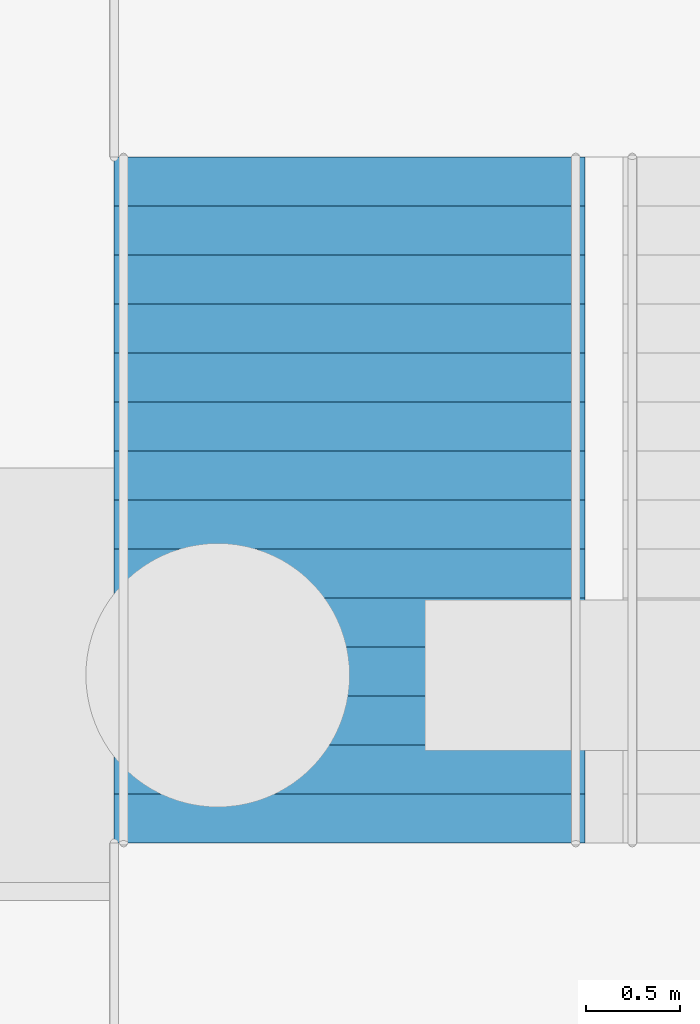
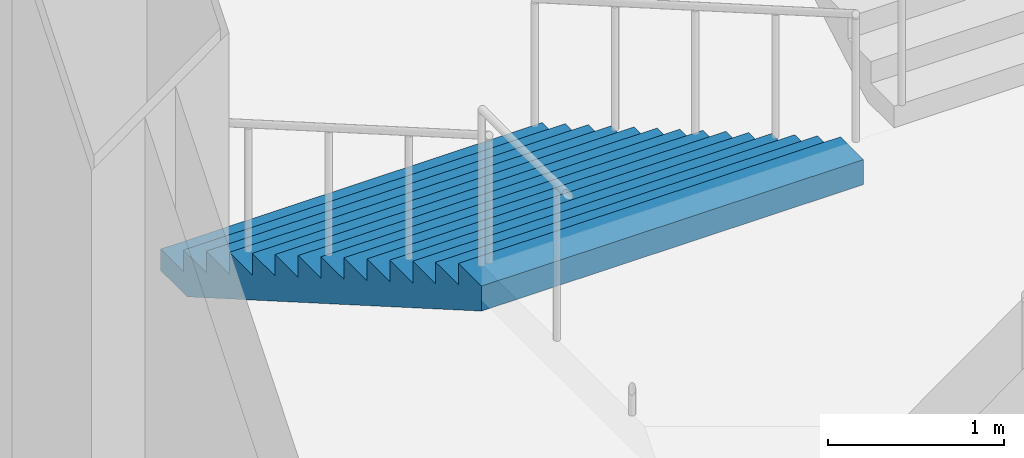
# One storey, part 84 of 113: 1 stair flight, 1 element without a shape of its own.
"""IFC4 building model written with IfcOpenShell, lengths in metres."""

from ifc_helpers import new_model, si_unit, direction, frame, origin, place, context, subcontext, project, spatial, triangles, material, type_object, element, aggregate, save


model = new_model("IFC4")

# Units and contexts
model_context = context("Model", 3, precision=1e-05, world=origin(), true_north=direction((0.0, 1.0)))
body_context = subcontext(model_context, "Body", "Model", "MODEL_VIEW")
ifc_project = project(units=[si_unit("LENGTHUNIT", "METRE"), si_unit("AREAUNIT", "SQUARE_METRE"), si_unit("VOLUMEUNIT", "CUBIC_METRE"), si_unit("PLANEANGLEUNIT", "RADIAN"), si_unit("MASSUNIT", "GRAM", prefix="KILO")], contexts=[model_context])

# Site, building, storey
site_placement = place(None, origin())
site = spatial("IfcSite", under=ifc_project, at=site_placement, CompositionType="ELEMENT")
building_placement = place(site_placement, origin())
building = spatial("IfcBuilding", under=site, at=building_placement, Name="Hakoniwa Tower and Hamabe Station Hall", CompositionType="ELEMENT")
storey_placement = place(building_placement, origin())
storey = spatial("IfcBuildingStorey", under=building, at=storey_placement, Name="L01", CompositionType="ELEMENT", Elevation=0.0)

# Stair, stair flight
ifc_material_1 = material(Name="Concrete C40", Category="concrete")
stair_type = type_object("IfcStairType", Name="STAIR 2500 15X150", PredefinedType="HALF_TURN_STAIR", material=ifc_material_1)
stair_placement = place(storey_placement, origin())
stair = element("IfcStair", 1, at=stair_placement, inside=storey, type_object=stair_type, Name="Escape stair PS2", PredefinedType="HALF_TURN_STAIR")
ifc_material_2 = material(Name="Concrete C40", Category="concrete")
stair_flight_type = type_object("IfcStairFlightType", Name="STAIR FLIGHT 2500", PredefinedType="STRAIGHT", material=ifc_material_2)
stair_flight_placement = place(storey_placement, frame((45.10009765625, 22.35009765625, 0.0), z_axis=(0.0, 0.0, 1.0), x_axis=(0.0, -1.0, 0.0)))
stair_flight = element("IfcStairFlight", 2, at=stair_flight_placement, type_object=stair_flight_type, Name="PS2 flight 1", NumberOfRisers=15, NumberOfTreads=14, PredefinedType="STRAIGHT", RiserHeight=0.15, TreadLength=0.26, context=body_context, shape_type="Tessellation", body=[
    triangles([(0.0, 1.25, 0.0), (0.260009765625, 1.25, 0.0), (0.300048828125, 1.25, 0.0), (0.52001953125, 1.25, 0.126953125), (0.780029296875, 1.25, 0.27685546875), (1.0400390625, 1.25, 0.427001953125), (1.300048828125, 1.25, 0.576904296875), (1.56005859375, 1.25, 0.72705078125), (1.820068359375, 1.25, 0.876953125), (2.080078125, 1.25, 1.02685546875), (2.340087890625, 1.25, 1.177001953125), (2.60009765625, 1.25, 1.326904296875), (2.860107421875, 1.25, 1.47705078125), (3.1201171875, 1.25, 1.626953125), (3.3798828125, 1.25, 1.77685546875), (3.639892578125, 1.25, 1.927001953125), (3.639892578125, 1.25, 2.10009765625), (3.3798828125, 1.25, 2.10009765625), (3.3798828125, 1.25, 1.949951171875), (3.1201171875, 1.25, 1.949951171875), (3.1201171875, 1.25, 1.800048828125), (2.860107421875, 1.25, 1.800048828125), (2.860107421875, 1.25, 1.64990234375), (2.60009765625, 1.25, 1.64990234375), (2.60009765625, 1.25, 1.5), (2.340087890625, 1.25, 1.5), (2.340087890625, 1.25, 1.35009765625), (2.080078125, 1.25, 1.35009765625), (2.080078125, 1.25, 1.199951171875), (1.820068359375, 1.25, 1.199951171875), (1.820068359375, 1.25, 1.050048828125), (1.56005859375, 1.25, 1.050048828125), (1.56005859375, 1.25, 0.89990234375), (1.300048828125, 1.25, 0.89990234375), (1.300048828125, 1.25, 0.75), (1.0400390625, 1.25, 0.75), (1.0400390625, 1.25, 0.60009765625), (0.780029296875, 1.25, 0.60009765625), (0.780029296875, 1.25, 0.449951171875), (0.52001953125, 1.25, 0.449951171875), (0.52001953125, 1.25, 0.300048828125), (0.300048828125, 1.25, 0.300048828125), (0.260009765625, 1.25, 0.300048828125), (0.260009765625, 1.25, 0.14990234375), (0.0, 1.25, 0.14990234375), (0.0, 0.06005859375, 0.0), (0.260009765625, 0.06005859375, 0.0), (0.300048828125, 0.06005859375, 0.0), (0.52001953125, 0.06005859375, 0.126953125), (0.780029296875, 0.06005859375, 0.27685546875), (1.0400390625, 0.06005859375, 0.427001953125), (1.300048828125, 0.06005859375, 0.576904296875), (1.56005859375, 0.06005859375, 0.72705078125), (1.820068359375, 0.06005859375, 0.876953125), (2.080078125, 0.06005859375, 1.02685546875), (2.340087890625, 0.06005859375, 1.177001953125), (2.60009765625, 0.06005859375, 1.326904296875), (2.860107421875, 0.06005859375, 1.47705078125), (3.1201171875, 0.06005859375, 1.626953125), (3.3798828125, 0.06005859375, 1.77685546875), (3.639892578125, 0.06005859375, 1.927001953125), (3.639892578125, 0.06005859375, 2.10009765625), (3.3798828125, 0.06005859375, 2.10009765625), (3.3798828125, 0.06005859375, 1.949951171875), (3.1201171875, 0.06005859375, 1.949951171875), (3.1201171875, 0.06005859375, 1.800048828125), (2.860107421875, 0.06005859375, 1.800048828125), (2.860107421875, 0.06005859375, 1.64990234375), (2.60009765625, 0.06005859375, 1.64990234375), (2.60009765625, 0.06005859375, 1.5), (2.340087890625, 0.06005859375, 1.5), (2.340087890625, 0.06005859375, 1.35009765625), (2.080078125, 0.06005859375, 1.35009765625), (2.080078125, 0.06005859375, 1.199951171875), (1.820068359375, 0.06005859375, 1.199951171875), (1.820068359375, 0.06005859375, 1.050048828125), (1.56005859375, 0.06005859375, 1.050048828125), (1.56005859375, 0.06005859375, 0.89990234375), (1.300048828125, 0.06005859375, 0.89990234375), (1.300048828125, 0.06005859375, 0.75), (1.0400390625, 0.06005859375, 0.75), (1.0400390625, 0.06005859375, 0.60009765625), (0.780029296875, 0.06005859375, 0.60009765625), (0.780029296875, 0.06005859375, 0.449951171875), (0.52001953125, 0.06005859375, 0.449951171875), (0.52001953125, 0.06005859375, 0.300048828125), (0.300048828125, 0.06005859375, 0.300048828125), (0.260009765625, 0.06005859375, 0.300048828125), (0.260009765625, 0.06005859375, 0.14990234375), (0.0, 0.06005859375, 0.14990234375), (0.0, 0.02001953125, 0.0), (0.260009765625, 0.02001953125, 0.0), (0.300048828125, 0.02001953125, 0.0), (0.52001953125, 0.02001953125, 0.126953125), (0.780029296875, 0.02001953125, 0.27685546875), (1.0400390625, 0.02001953125, 0.427001953125), (1.300048828125, 0.02001953125, 0.576904296875), (1.56005859375, 0.02001953125, 0.72705078125), (1.820068359375, 0.02001953125, 0.876953125), (2.080078125, 0.02001953125, 1.02685546875), (2.340087890625, 0.02001953125, 1.177001953125), (2.60009765625, 0.02001953125, 1.326904296875), (2.860107421875, 0.02001953125, 1.47705078125), (3.1201171875, 0.02001953125, 1.626953125), (3.3798828125, 0.02001953125, 1.77685546875), (3.639892578125, 0.02001953125, 1.927001953125), (3.639892578125, 0.02001953125, 2.10009765625), (3.3798828125, 0.02001953125, 2.10009765625), (3.3798828125, 0.02001953125, 1.949951171875), (3.1201171875, 0.02001953125, 1.949951171875), (3.1201171875, 0.02001953125, 1.800048828125), (2.860107421875, 0.02001953125, 1.800048828125), (2.860107421875, 0.02001953125, 1.64990234375), (2.60009765625, 0.02001953125, 1.64990234375), (2.60009765625, 0.02001953125, 1.5), (2.340087890625, 0.02001953125, 1.5), (2.340087890625, 0.02001953125, 1.35009765625), (2.080078125, 0.02001953125, 1.35009765625), (2.080078125, 0.02001953125, 1.199951171875), (1.820068359375, 0.02001953125, 1.199951171875), (1.820068359375, 0.02001953125, 1.050048828125), (1.56005859375, 0.02001953125, 1.050048828125), (1.56005859375, 0.02001953125, 0.89990234375), (1.300048828125, 0.02001953125, 0.89990234375), (1.300048828125, 0.02001953125, 0.75), (1.0400390625, 0.02001953125, 0.75), (1.0400390625, 0.02001953125, 0.60009765625), (0.780029296875, 0.02001953125, 0.60009765625), (0.780029296875, 0.02001953125, 0.449951171875), (0.52001953125, 0.02001953125, 0.449951171875), (0.52001953125, 0.02001953125, 0.300048828125), (0.300048828125, 0.02001953125, 0.300048828125), (0.260009765625, 0.02001953125, 0.300048828125), (0.260009765625, 0.02001953125, 0.14990234375), (0.0, 0.02001953125, 0.14990234375), (0.0, -0.02001953125, 0.0), (0.260009765625, -0.02001953125, 0.0), (0.300048828125, -0.02001953125, 0.0), (0.52001953125, -0.02001953125, 0.126953125), (0.780029296875, -0.02001953125, 0.27685546875), (1.0400390625, -0.02001953125, 0.427001953125), (1.300048828125, -0.02001953125, 0.576904296875), (1.56005859375, -0.02001953125, 0.72705078125), (1.820068359375, -0.02001953125, 0.876953125), (2.080078125, -0.02001953125, 1.02685546875), (2.340087890625, -0.02001953125, 1.177001953125), (2.60009765625, -0.02001953125, 1.326904296875), (2.860107421875, -0.02001953125, 1.47705078125), (3.1201171875, -0.02001953125, 1.626953125), (3.3798828125, -0.02001953125, 1.77685546875), (3.639892578125, -0.02001953125, 1.927001953125), (3.639892578125, -0.02001953125, 2.10009765625), (3.3798828125, -0.02001953125, 2.10009765625), (3.3798828125, -0.02001953125, 1.949951171875), (3.1201171875, -0.02001953125, 1.949951171875), (3.1201171875, -0.02001953125, 1.800048828125), (2.860107421875, -0.02001953125, 1.800048828125), (2.860107421875, -0.02001953125, 1.64990234375), (2.60009765625, -0.02001953125, 1.64990234375), (2.60009765625, -0.02001953125, 1.5), (2.340087890625, -0.02001953125, 1.5), (2.340087890625, -0.02001953125, 1.35009765625), (2.080078125, -0.02001953125, 1.35009765625), (2.080078125, -0.02001953125, 1.199951171875), (1.820068359375, -0.02001953125, 1.199951171875), (1.820068359375, -0.02001953125, 1.050048828125), (1.56005859375, -0.02001953125, 1.050048828125), (1.56005859375, -0.02001953125, 0.89990234375), (1.300048828125, -0.02001953125, 0.89990234375), (1.300048828125, -0.02001953125, 0.75), (1.0400390625, -0.02001953125, 0.75), (1.0400390625, -0.02001953125, 0.60009765625), (0.780029296875, -0.02001953125, 0.60009765625), (0.780029296875, -0.02001953125, 0.449951171875), (0.52001953125, -0.02001953125, 0.449951171875), (0.52001953125, -0.02001953125, 0.300048828125), (0.300048828125, -0.02001953125, 0.300048828125), (0.260009765625, -0.02001953125, 0.300048828125), (0.260009765625, -0.02001953125, 0.14990234375), (0.0, -0.02001953125, 0.14990234375), (0.0, -0.06005859375, 0.0), (0.260009765625, -0.06005859375, 0.0), (0.300048828125, -0.06005859375, 0.0), (0.52001953125, -0.06005859375, 0.126953125), (0.780029296875, -0.06005859375, 0.27685546875), (1.0400390625, -0.06005859375, 0.427001953125), (1.300048828125, -0.06005859375, 0.576904296875), (1.56005859375, -0.06005859375, 0.72705078125), (1.820068359375, -0.06005859375, 0.876953125), (2.080078125, -0.06005859375, 1.02685546875), (2.340087890625, -0.06005859375, 1.177001953125), (2.60009765625, -0.06005859375, 1.326904296875), (2.860107421875, -0.06005859375, 1.47705078125), (3.1201171875, -0.06005859375, 1.626953125), (3.3798828125, -0.06005859375, 1.77685546875), (3.639892578125, -0.06005859375, 1.927001953125), (3.639892578125, -0.06005859375, 2.10009765625), (3.3798828125, -0.06005859375, 2.10009765625), (3.3798828125, -0.06005859375, 1.949951171875), (3.1201171875, -0.06005859375, 1.949951171875), (3.1201171875, -0.06005859375, 1.800048828125), (2.860107421875, -0.06005859375, 1.800048828125), (2.860107421875, -0.06005859375, 1.64990234375), (2.60009765625, -0.06005859375, 1.64990234375), (2.60009765625, -0.06005859375, 1.5), (2.340087890625, -0.06005859375, 1.5), (2.340087890625, -0.06005859375, 1.35009765625), (2.080078125, -0.06005859375, 1.35009765625), (2.080078125, -0.06005859375, 1.199951171875), (1.820068359375, -0.06005859375, 1.199951171875), (1.820068359375, -0.06005859375, 1.050048828125), (1.56005859375, -0.06005859375, 1.050048828125), (1.56005859375, -0.06005859375, 0.89990234375), (1.300048828125, -0.06005859375, 0.89990234375), (1.300048828125, -0.06005859375, 0.75), (1.0400390625, -0.06005859375, 0.75), (1.0400390625, -0.06005859375, 0.60009765625), (0.780029296875, -0.06005859375, 0.60009765625), (0.780029296875, -0.06005859375, 0.449951171875), (0.52001953125, -0.06005859375, 0.449951171875), (0.52001953125, -0.06005859375, 0.300048828125), (0.300048828125, -0.06005859375, 0.300048828125), (0.260009765625, -0.06005859375, 0.300048828125), (0.260009765625, -0.06005859375, 0.14990234375), (0.0, -0.06005859375, 0.14990234375), (0.0, -1.25, 0.0), (0.260009765625, -1.25, 0.0), (0.300048828125, -1.25, 0.0), (0.52001953125, -1.25, 0.126953125), (0.780029296875, -1.25, 0.27685546875), (1.0400390625, -1.25, 0.427001953125), (1.300048828125, -1.25, 0.576904296875), (1.56005859375, -1.25, 0.72705078125), (1.820068359375, -1.25, 0.876953125), (2.080078125, -1.25, 1.02685546875), (2.340087890625, -1.25, 1.177001953125), (2.60009765625, -1.25, 1.326904296875), (2.860107421875, -1.25, 1.47705078125), (3.1201171875, -1.25, 1.626953125), (3.3798828125, -1.25, 1.77685546875), (3.639892578125, -1.25, 1.927001953125), (3.639892578125, -1.25, 2.10009765625), (3.3798828125, -1.25, 2.10009765625), (3.3798828125, -1.25, 1.949951171875), (3.1201171875, -1.25, 1.949951171875), (3.1201171875, -1.25, 1.800048828125), (2.860107421875, -1.25, 1.800048828125), (2.860107421875, -1.25, 1.64990234375), (2.60009765625, -1.25, 1.64990234375), (2.60009765625, -1.25, 1.5), (2.340087890625, -1.25, 1.5), (2.340087890625, -1.25, 1.35009765625), (2.080078125, -1.25, 1.35009765625), (2.080078125, -1.25, 1.199951171875), (1.820068359375, -1.25, 1.199951171875), (1.820068359375, -1.25, 1.050048828125), (1.56005859375, -1.25, 1.050048828125), (1.56005859375, -1.25, 0.89990234375), (1.300048828125, -1.25, 0.89990234375), (1.300048828125, -1.25, 0.75), (1.0400390625, -1.25, 0.75), (1.0400390625, -1.25, 0.60009765625), (0.780029296875, -1.25, 0.60009765625), (0.780029296875, -1.25, 0.449951171875), (0.52001953125, -1.25, 0.449951171875), (0.52001953125, -1.25, 0.300048828125), (0.300048828125, -1.25, 0.300048828125), (0.260009765625, -1.25, 0.300048828125), (0.260009765625, -1.25, 0.14990234375), (0.0, -1.25, 0.14990234375)], [[2, 45, 44], [227, 269, 270], [2, 1, 45], [227, 270, 226], [3, 43, 42], [228, 267, 268], [3, 44, 43], [228, 268, 269], [3, 2, 44], [228, 269, 227], [4, 42, 41], [229, 266, 267], [4, 3, 42], [229, 267, 228], [5, 40, 39], [230, 264, 265], [5, 41, 40], [230, 265, 266], [5, 4, 41], [230, 266, 229], [6, 38, 37], [231, 262, 263], [6, 39, 38], [231, 263, 264], [6, 5, 39], [231, 264, 230], [7, 36, 35], [232, 260, 261], [7, 37, 36], [232, 261, 262], [7, 6, 37], [232, 262, 231], [8, 34, 33], [233, 258, 259], [8, 35, 34], [233, 259, 260], [8, 7, 35], [233, 260, 232], [9, 32, 31], [234, 256, 257], [9, 33, 32], [234, 257, 258], [9, 8, 33], [234, 258, 233], [10, 30, 29], [235, 254, 255], [10, 31, 30], [235, 255, 256], [10, 9, 31], [235, 256, 234], [11, 28, 27], [236, 252, 253], [11, 29, 28], [236, 253, 254], [11, 10, 29], [236, 254, 235], [12, 26, 25], [237, 250, 251], [12, 27, 26], [237, 251, 252], [12, 11, 27], [237, 252, 236], [13, 24, 23], [238, 248, 249], [13, 25, 24], [238, 249, 250], [13, 12, 25], [238, 250, 237], [14, 22, 21], [239, 246, 247], [14, 23, 22], [239, 247, 248], [14, 13, 23], [239, 248, 238], [15, 20, 19], [240, 244, 245], [15, 21, 20], [240, 245, 246], [15, 14, 21], [240, 246, 239], [16, 18, 17], [241, 242, 243], [16, 19, 18], [241, 243, 244], [16, 15, 19], [241, 244, 240], [1, 2, 47], [1, 47, 46], [46, 47, 92], [46, 92, 91], [91, 92, 137], [91, 137, 136], [136, 137, 182], [136, 182, 181], [181, 182, 227], [181, 227, 226], [2, 3, 48], [2, 48, 47], [47, 48, 93], [47, 93, 92], [92, 93, 138], [92, 138, 137], [137, 138, 183], [137, 183, 182], [182, 183, 228], [182, 228, 227], [3, 4, 49], [3, 49, 48], [48, 49, 94], [48, 94, 93], [93, 94, 139], [93, 139, 138], [138, 139, 184], [138, 184, 183], [183, 184, 229], [183, 229, 228], [4, 5, 50], [4, 50, 49], [49, 50, 95], [49, 95, 94], [94, 95, 140], [94, 140, 139], [139, 140, 185], [139, 185, 184], [184, 185, 230], [184, 230, 229], [5, 6, 51], [5, 51, 50], [50, 51, 96], [50, 96, 95], [95, 96, 141], [95, 141, 140], [140, 141, 186], [140, 186, 185], [185, 186, 231], [185, 231, 230], [6, 7, 52], [6, 52, 51], [51, 52, 97], [51, 97, 96], [96, 97, 142], [96, 142, 141], [141, 142, 187], [141, 187, 186], [186, 187, 232], [186, 232, 231], [7, 8, 53], [7, 53, 52], [52, 53, 98], [52, 98, 97], [97, 98, 143], [97, 143, 142], [142, 143, 188], [142, 188, 187], [187, 188, 233], [187, 233, 232], [8, 9, 54], [8, 54, 53], [53, 54, 99], [53, 99, 98], [98, 99, 144], [98, 144, 143], [143, 144, 189], [143, 189, 188], [188, 189, 234], [188, 234, 233], [9, 10, 55], [9, 55, 54], [54, 55, 100], [54, 100, 99], [99, 100, 145], [99, 145, 144], [144, 145, 190], [144, 190, 189], [189, 190, 235], [189, 235, 234], [10, 11, 56], [10, 56, 55], [55, 56, 101], [55, 101, 100], [100, 101, 146], [100, 146, 145], [145, 146, 191], [145, 191, 190], [190, 191, 236], [190, 236, 235], [11, 12, 57], [11, 57, 56], [56, 57, 102], [56, 102, 101], [101, 102, 147], [101, 147, 146], [146, 147, 192], [146, 192, 191], [191, 192, 237], [191, 237, 236], [12, 13, 58], [12, 58, 57], [57, 58, 103], [57, 103, 102], [102, 103, 148], [102, 148, 147], [147, 148, 193], [147, 193, 192], [192, 193, 238], [192, 238, 237], [13, 14, 59], [13, 59, 58], [58, 59, 104], [58, 104, 103], [103, 104, 149], [103, 149, 148], [148, 149, 194], [148, 194, 193], [193, 194, 239], [193, 239, 238], [14, 15, 60], [14, 60, 59], [59, 60, 105], [59, 105, 104], [104, 105, 150], [104, 150, 149], [149, 150, 195], [149, 195, 194], [194, 195, 240], [194, 240, 239], [15, 16, 61], [15, 61, 60], [60, 61, 106], [60, 106, 105], [105, 106, 151], [105, 151, 150], [150, 151, 196], [150, 196, 195], [195, 196, 241], [195, 241, 240], [16, 17, 62], [16, 62, 61], [61, 62, 107], [61, 107, 106], [106, 107, 152], [106, 152, 151], [151, 152, 197], [151, 197, 196], [196, 197, 242], [196, 242, 241], [17, 18, 63], [17, 63, 62], [62, 63, 108], [62, 108, 107], [107, 108, 153], [107, 153, 152], [152, 153, 198], [152, 198, 197], [197, 198, 243], [197, 243, 242], [18, 19, 64], [18, 64, 63], [63, 64, 109], [63, 109, 108], [108, 109, 154], [108, 154, 153], [153, 154, 199], [153, 199, 198], [198, 199, 244], [198, 244, 243], [19, 20, 65], [19, 65, 64], [64, 65, 110], [64, 110, 109], [109, 110, 155], [109, 155, 154], [154, 155, 200], [154, 200, 199], [199, 200, 245], [199, 245, 244], [20, 21, 66], [20, 66, 65], [65, 66, 111], [65, 111, 110], [110, 111, 156], [110, 156, 155], [155, 156, 201], [155, 201, 200], [200, 201, 246], [200, 246, 245], [21, 22, 67], [21, 67, 66], [66, 67, 112], [66, 112, 111], [111, 112, 157], [111, 157, 156], [156, 157, 202], [156, 202, 201], [201, 202, 247], [201, 247, 246], [22, 23, 68], [22, 68, 67], [67, 68, 113], [67, 113, 112], [112, 113, 158], [112, 158, 157], [157, 158, 203], [157, 203, 202], [202, 203, 248], [202, 248, 247], [23, 24, 69], [23, 69, 68], [68, 69, 114], [68, 114, 113], [113, 114, 159], [113, 159, 158], [158, 159, 204], [158, 204, 203], [203, 204, 249], [203, 249, 248], [24, 25, 70], [24, 70, 69], [69, 70, 115], [69, 115, 114], [114, 115, 160], [114, 160, 159], [159, 160, 205], [159, 205, 204], [204, 205, 250], [204, 250, 249], [25, 26, 71], [25, 71, 70], [70, 71, 116], [70, 116, 115], [115, 116, 161], [115, 161, 160], [160, 161, 206], [160, 206, 205], [205, 206, 251], [205, 251, 250], [26, 27, 72], [26, 72, 71], [71, 72, 117], [71, 117, 116], [116, 117, 162], [116, 162, 161], [161, 162, 207], [161, 207, 206], [206, 207, 252], [206, 252, 251], [27, 28, 73], [27, 73, 72], [72, 73, 118], [72, 118, 117], [117, 118, 163], [117, 163, 162], [162, 163, 208], [162, 208, 207], [207, 208, 253], [207, 253, 252], [28, 29, 74], [28, 74, 73], [73, 74, 119], [73, 119, 118], [118, 119, 164], [118, 164, 163], [163, 164, 209], [163, 209, 208], [208, 209, 254], [208, 254, 253], [29, 30, 75], [29, 75, 74], [74, 75, 120], [74, 120, 119], [119, 120, 165], [119, 165, 164], [164, 165, 210], [164, 210, 209], [209, 210, 255], [209, 255, 254], [30, 31, 76], [30, 76, 75], [75, 76, 121], [75, 121, 120], [120, 121, 166], [120, 166, 165], [165, 166, 211], [165, 211, 210], [210, 211, 256], [210, 256, 255], [31, 32, 77], [31, 77, 76], [76, 77, 122], [76, 122, 121], [121, 122, 167], [121, 167, 166], [166, 167, 212], [166, 212, 211], [211, 212, 257], [211, 257, 256], [32, 33, 78], [32, 78, 77], [77, 78, 123], [77, 123, 122], [122, 123, 168], [122, 168, 167], [167, 168, 213], [167, 213, 212], [212, 213, 258], [212, 258, 257], [33, 34, 79], [33, 79, 78], [78, 79, 124], [78, 124, 123], [123, 124, 169], [123, 169, 168], [168, 169, 214], [168, 214, 213], [213, 214, 259], [213, 259, 258], [34, 35, 80], [34, 80, 79], [79, 80, 125], [79, 125, 124], [124, 125, 170], [124, 170, 169], [169, 170, 215], [169, 215, 214], [214, 215, 260], [214, 260, 259], [35, 36, 81], [35, 81, 80], [80, 81, 126], [80, 126, 125], [125, 126, 171], [125, 171, 170], [170, 171, 216], [170, 216, 215], [215, 216, 261], [215, 261, 260], [36, 37, 82], [36, 82, 81], [81, 82, 127], [81, 127, 126], [126, 127, 172], [126, 172, 171], [171, 172, 217], [171, 217, 216], [216, 217, 262], [216, 262, 261], [37, 38, 83], [37, 83, 82], [82, 83, 128], [82, 128, 127], [127, 128, 173], [127, 173, 172], [172, 173, 218], [172, 218, 217], [217, 218, 263], [217, 263, 262], [38, 39, 84], [38, 84, 83], [83, 84, 129], [83, 129, 128], [128, 129, 174], [128, 174, 173], [173, 174, 219], [173, 219, 218], [218, 219, 264], [218, 264, 263], [39, 40, 85], [39, 85, 84], [84, 85, 130], [84, 130, 129], [129, 130, 175], [129, 175, 174], [174, 175, 220], [174, 220, 219], [219, 220, 265], [219, 265, 264], [40, 41, 86], [40, 86, 85], [85, 86, 131], [85, 131, 130], [130, 131, 176], [130, 176, 175], [175, 176, 221], [175, 221, 220], [220, 221, 266], [220, 266, 265], [41, 42, 87], [41, 87, 86], [86, 87, 132], [86, 132, 131], [131, 132, 177], [131, 177, 176], [176, 177, 222], [176, 222, 221], [221, 222, 267], [221, 267, 266], [42, 43, 88], [42, 88, 87], [87, 88, 133], [87, 133, 132], [132, 133, 178], [132, 178, 177], [177, 178, 223], [177, 223, 222], [222, 223, 268], [222, 268, 267], [43, 44, 89], [43, 89, 88], [88, 89, 134], [88, 134, 133], [133, 134, 179], [133, 179, 178], [178, 179, 224], [178, 224, 223], [223, 224, 269], [223, 269, 268], [44, 45, 90], [44, 90, 89], [89, 90, 135], [89, 135, 134], [134, 135, 180], [134, 180, 179], [179, 180, 225], [179, 225, 224], [224, 225, 270], [224, 270, 269], [45, 1, 46], [45, 46, 90], [90, 46, 91], [90, 91, 135], [135, 91, 136], [135, 136, 180], [180, 136, 181], [180, 181, 225], [225, 181, 226], [225, 226, 270]], closed=True),
])
aggregate(stair, [stair_flight])

save(model, "model.ifc")
